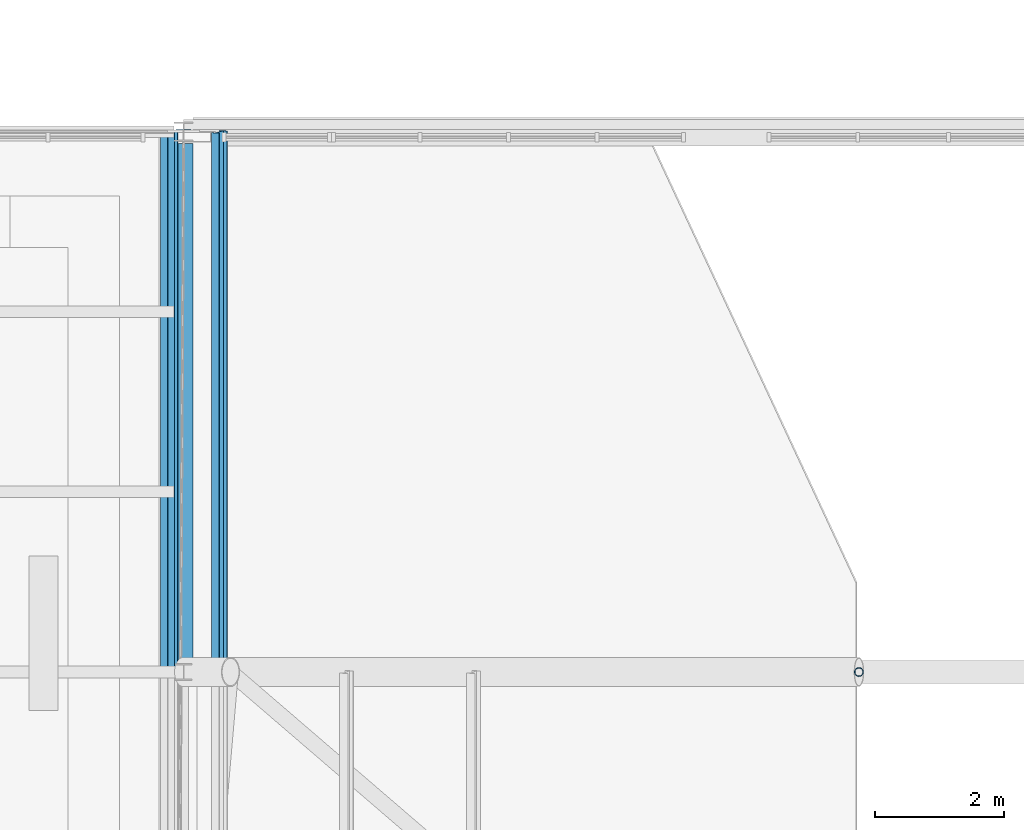
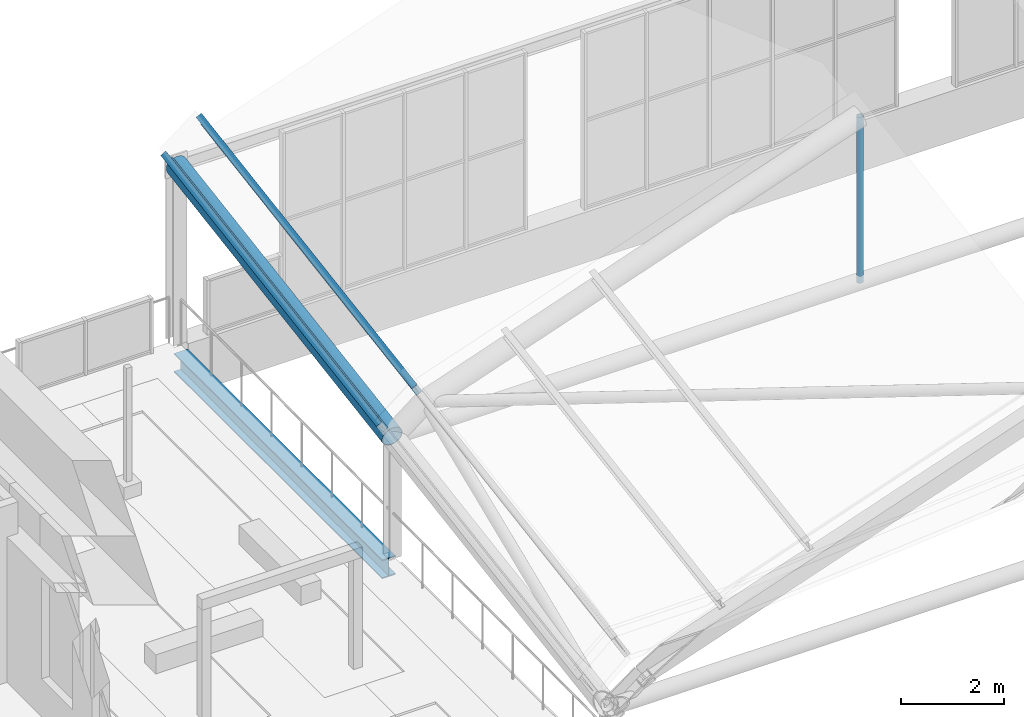
# One storey, part 17 of 76: 3 members, 2 beams.
"""IFC4 building model written with IfcOpenShell, lengths in metres."""

import ifcopenshell
import ifcopenshell.guid

model = None  # the IFC model being written
_history = None  # IfcOwnerHistory: only IFC2X3 demands one
_inside = {}  # id of a spatial element -> (the spatial element, [elements in it])
_under = {}  # id of a project, library or spatial element -> (it, [spatial elements below it])
_declared = {}  # id of a project -> (the project, [libraries it declares])
_typed = {}  # id of a type object -> (the type object, [elements of that type])
_made_of = {}  # id of a material, layer set ... -> (it, [elements and type objects made of it])


def new_model(schema):
    """Start an empty IFC model of exactly this schema.

    Asked for "IFC4X3", IfcOpenShell would pick the latest addendum, in which some entities
    have other attributes; the version numbers below select the first issue.
    IFC2X3 requires an IfcOwnerHistory on every rooted entity: one is made here for all.
    """
    global model, _history
    if schema == "IFC4X3":
        model = ifcopenshell.file(schema_version=(4, 3, 0, 0))
    else:
        model = ifcopenshell.file(schema=schema)
    _inside.clear()
    _under.clear()
    _declared.clear()
    _typed.clear()
    _made_of.clear()
    _history = None
    if model.schema == "IFC2X3":
        org = make("IfcOrganization", Name="unknown")
        user = make(
            "IfcPersonAndOrganization",
            ThePerson=make("IfcPerson", FamilyName="unknown"),
            TheOrganization=org,
        )
        app = make(
            "IfcApplication",
            ApplicationDeveloper=org,
            Version="unknown",
            ApplicationFullName="unknown",
            ApplicationIdentifier="unknown",
        )
        _history = make(
            "IfcOwnerHistory",
            OwningUser=user,
            OwningApplication=app,
            ChangeAction="ADDED",
            CreationDate=0,
        )
    return model


def make(cls, **values):
    """One entity of the class cls with the attributes given. An attribute that is None is left unset."""
    return model.create_entity(
        cls, **{name: value for name, value in values.items() if value is not None}
    )


def rooted(cls, **values):
    """An entity with a GlobalId (a new one), such as an element, a storey or a relation."""
    return make(cls, GlobalId=ifcopenshell.guid.new(), OwnerHistory=_history, **values)


def si_unit(unit_type, name, prefix=None):
    """IfcSIUnit, for example si_unit("LENGTHUNIT", "METRE", prefix="MILLI")."""
    return make("IfcSIUnit", UnitType=unit_type, Prefix=prefix, Name=name)


def assignment(units):
    """IfcUnitAssignment: the units of a project."""
    return None if units is None else make("IfcUnitAssignment", Units=units)


def point(xyz):
    """IfcCartesianPoint."""
    return None if xyz is None else make("IfcCartesianPoint", Coordinates=xyz)


def direction(xyz):
    """IfcDirection."""
    return None if xyz is None else make("IfcDirection", DirectionRatios=xyz)


def frame(location, z_axis=None, x_axis=None):
    """IfcAxis2Placement3D, a coordinate frame: its origin and axes. An axis left out is left unset."""
    return make(
        "IfcAxis2Placement3D",
        Location=point(location),
        Axis=direction(z_axis),
        RefDirection=direction(x_axis),
    )


def frame_2d(location, x_axis=None):
    """IfcAxis2Placement2D, a coordinate frame in the plane: its origin and x axis."""
    return make(
        "IfcAxis2Placement2D", Location=point(location), RefDirection=direction(x_axis)
    )


def origin():
    """The frame at (0, 0, 0) with its axes left unset."""
    return frame((0.0, 0.0, 0.0))


def origin_2d():
    """The frame at (0, 0) in the plane with its x axis left unset."""
    return frame_2d((0.0, 0.0))


def place(relative_to, where):
    """IfcLocalPlacement: puts the frame where relative to a parent placement (None: the world)."""
    return make(
        "IfcLocalPlacement", PlacementRelTo=relative_to, RelativePlacement=where
    )


def context(
    kind, dimensions, precision=None, world=None, true_north=None, identifier=None
):
    """IfcGeometricRepresentationContext, for example the 3D "Model" context."""
    return make(
        "IfcGeometricRepresentationContext",
        ContextIdentifier=identifier,
        ContextType=kind,
        CoordinateSpaceDimension=dimensions,
        Precision=precision,
        WorldCoordinateSystem=world,
        TrueNorth=true_north,
    )


def subcontext(parent, identifier, kind, view, scale=None):
    """IfcGeometricRepresentationSubContext, for example "Body" below "Model"."""
    return make(
        "IfcGeometricRepresentationSubContext",
        ContextIdentifier=identifier,
        ContextType=kind,
        ParentContext=parent,
        TargetScale=scale,
        TargetView=view,
    )


def project(units=None, contexts=None):
    """IfcProject with its units and contexts."""
    return rooted(
        "IfcProject",
        Name="project",
        RepresentationContexts=contexts,
        UnitsInContext=assignment(units),
    )


def spatial(cls, under=None, at=None, **own):
    """A site, building, storey or space (cls), placed at a placement, below another one or the project."""
    s = rooted(cls, ObjectPlacement=at, **own)
    if under is not None:
        _under.setdefault(under.id(), (under, []))[1].append(s)
    return s


def profile(cls, at=None, kind="AREA", **sizes):
    """A parametric profile (cls). Its sizes go by their IFC names, for example OverallWidth=200.0."""
    return make(cls, ProfileType=kind, Position=at, **sizes)


def hollow_circle(**sizes):
    """IfcCircleHollowProfileDef."""
    return profile("IfcCircleHollowProfileDef", **sizes)


def i_section(**sizes):
    """IfcIShapeProfileDef."""
    return profile("IfcIShapeProfileDef", **sizes)


def extrude(swept, where, along, depth):
    """IfcExtrudedAreaSolid: the profile swept, set in the frame where, extruded along a direction by depth."""
    return make(
        "IfcExtrudedAreaSolid",
        SweptArea=swept,
        Position=where,
        ExtrudedDirection=direction(along),
        Depth=depth,
    )


def shape(context_of_items, identifier, shape_type, items):
    """IfcShapeRepresentation: the items that make up one representation, for example the "Body"."""
    return make(
        "IfcShapeRepresentation",
        ContextOfItems=context_of_items,
        RepresentationIdentifier=identifier,
        RepresentationType=shape_type,
        Items=items,
    )


def material(Name=None, Category=None):
    """IfcMaterial."""
    return make("IfcMaterial", Name=Name, Category=Category)


def material_profile(
    of_material, cross_section, Name=None, Category=None, Priority=None
):
    """IfcMaterialProfile: a cross section and its material."""
    return make(
        "IfcMaterialProfile",
        Name=Name,
        Material=of_material,
        Profile=cross_section,
        Priority=Priority,
        Category=Category,
    )


def profile_set(profiles, Name=None, composite=None):
    """IfcMaterialProfileSet."""
    return make(
        "IfcMaterialProfileSet",
        Name=Name,
        MaterialProfiles=profiles,
        CompositeProfile=composite,
    )


def made_of(thing, what):
    """Note that an element or type object is made of a material, layer set ...; save() writes the relation."""
    if what is not None:
        _made_of.setdefault(what.id(), (what, []))[1].append(thing)
    return thing


def type_object(cls, material=None, **own):
    """A type object (cls), such as IfcWallType, which elements share."""
    return made_of(rooted(cls, **own), material)


def element(
    cls,
    number,
    at=None,
    inside=None,
    cuts=None,
    type_object=None,
    material=None,
    context=None,
    identifier="Body",
    shape_type=None,
    held_by="IfcProductDefinitionShape",
    body=None,
    shapes=None,
    **own,
):
    """One element of the class cls, such as IfcWall. Its Tag is "e" and its number.

    at: its placement. inside: the storey or other place that contains it. cuts: it is an
    opening in that element (IfcRelVoidsElement). A single representation is given by context,
    identifier, shape_type and body (its items); several are given by shapes. held_by: the class
    of the entity that holds the representations. save() writes the other relations.
    """
    e = rooted(cls, Tag="e%d" % number, ObjectPlacement=at, **own)
    if body is not None:
        shapes = [shape(context, identifier, shape_type, body)]
    if shapes is not None:
        e.Representation = make(held_by, Representations=shapes)
    if inside is not None:
        _inside.setdefault(inside.id(), (inside, []))[1].append(e)
    if cuts is not None:
        rooted(
            "IfcRelVoidsElement", RelatingBuildingElement=cuts, RelatedOpeningElement=e
        )
    if type_object is not None:
        _typed.setdefault(type_object.id(), (type_object, []))[1].append(e)
    return made_of(e, material)


def aggregate(whole, parts):
    """IfcRelAggregates: a whole, such as a stair, and the parts it consists of."""
    return rooted("IfcRelAggregates", RelatingObject=whole, RelatedObjects=parts)


def save(model, path):
    """Write the relations noted so far, then the file.

    IfcRelAggregates (storeys below a building ...), IfcRelContainedInSpatialStructure (elements
    in a storey), IfcRelDefinesByType, IfcRelAssociatesMaterial and IfcRelDeclares: one each for
    every whole, place, type object, material and project.
    """
    for whole, parts in _under.values():
        aggregate(whole, parts)
    for where, things in _inside.values():
        rooted(
            "IfcRelContainedInSpatialStructure",
            RelatedElements=things,
            RelatingStructure=where,
        )
    for kind, things in _typed.values():
        rooted("IfcRelDefinesByType", RelatedObjects=things, RelatingType=kind)
    for what, things in _made_of.values():
        rooted("IfcRelAssociatesMaterial", RelatedObjects=things, RelatingMaterial=what)
    for by, libraries in _declared.values():
        rooted("IfcRelDeclares", RelatingContext=by, RelatedDefinitions=libraries)
    model.write(path)


model = new_model("IFC4")

# Units and contexts
model_context = context("Model", 3, precision=1e-05, world=origin(), true_north=direction((0.0, 1.0)))
body_context = subcontext(model_context, "Body", "Model", "MODEL_VIEW")
ifc_project = project(units=[si_unit("LENGTHUNIT", "METRE"), si_unit("AREAUNIT", "SQUARE_METRE"), si_unit("VOLUMEUNIT", "CUBIC_METRE"), si_unit("PLANEANGLEUNIT", "RADIAN"), si_unit("MASSUNIT", "GRAM", prefix="KILO")], contexts=[model_context])

# Site, building, storey
site_placement = place(None, origin())
site = spatial("IfcSite", under=ifc_project, at=site_placement, CompositionType="ELEMENT")
building_placement = place(site_placement, origin())
building = spatial("IfcBuilding", under=site, at=building_placement, Name="Sava Quay Ferry Terminal", CompositionType="ELEMENT")
storey_placement = place(building_placement, frame((0.0, 0.0, 10.800048828125)))
storey = spatial("IfcBuildingStorey", under=building, at=storey_placement, Name="L02", CompositionType="ELEMENT", Elevation=10.800048828125)

# Beams
ifc_material_1 = material(Name="Steel S355", Category="steel")
ifc_material_profile_1 = material_profile(ifc_material_1, hollow_circle(Radius=0.228515625, WallThickness=0.01611328125, at=origin_2d()), Name="CHS 457 x 16.0")
ifc_profile_set_1 = profile_set([ifc_material_profile_1], Name="Steel S355")
beam_type_1 = type_object("IfcBeamType", Name="Eave beam CHS 457x16", PredefinedType="BEAM", material=ifc_profile_set_1)
beam_1_placement = place(storey_placement, frame((50.39990234375, 42.0, 2.81494140625), z_axis=(0.0, 0.987368718827, 0.158439304094), x_axis=(-1.0, 0.0, 0.0)))
element("IfcBeam", 1, at=beam_1_placement, inside=storey, type_object=beam_type_1, Name="Arrivals hall eave beam L2", PredefinedType="BEAM", context=body_context, shape_type="SweptSolid", body=[
    extrude(hollow_circle(Radius=0.228515625, WallThickness=0.01611328125, at=origin_2d()), origin(), (0.0, 0.0, 1.0), 8.50732421875),
])
ifc_material_2 = material(Name="Steel S355", Category="steel")
ifc_material_profile_2 = material_profile(ifc_material_2, i_section(OverallWidth=0.300048828125, OverallDepth=0.449951171875, WebThickness=0.013916015625, FlangeThickness=0.02587890625, at=origin_2d()), Name="HE 450 B")
ifc_profile_set_2 = profile_set([ifc_material_profile_2], Name="Steel S355")
beam_type_2 = type_object("IfcBeamType", Name="Girder HE 450 B", PredefinedType="BEAM", material=ifc_profile_set_2)
beam_2_placement = place(storey_placement, frame((50.39990234375, 42.1298828125, -0.375), z_axis=(0.0, 1.0, 0.0), x_axis=(-1.0, 0.0, 0.0)))
element("IfcBeam", 2, at=beam_2_placement, inside=storey, type_object=beam_type_2, Name="Girder L02", PredefinedType="BEAM", context=body_context, shape_type="SweptSolid", body=[
    extrude(i_section(OverallWidth=0.300048828125, OverallDepth=0.449951171875, WebThickness=0.013916015625, FlangeThickness=0.02587890625, at=origin_2d()), origin(), (0.0, 0.0, 1.0), 8.090087890625),
])

# Members
ifc_material_3 = material(Name="Steel S355", Category="steel")
ifc_material_profile_3 = material_profile(ifc_material_3, i_section(OverallWidth=0.135009765625, OverallDepth=0.27001953125, WebThickness=0.006591796875, FlangeThickness=0.01025390625, at=origin_2d()), Name="IPE 270")
ifc_profile_set_3 = profile_set([ifc_material_profile_3], Name="Steel S355")
member_type_1 = type_object("IfcMemberType", Name="Roof purlin IPE 270", PredefinedType="PURLIN", material=ifc_profile_set_3)
for number, where, z_axis, x_axis, name in (
    (3, (50.177978515625, 42.0, 3.1064453125), (0.0, 0.987368718827, 0.158439304094), (-0.791787123021, 0.096774274528, -0.6030819941), "Arrivals hall edge purlin bay 2 V0"),
    (4, (50.955810546875, 42.0, 3.714111328125), (0.0, 0.98736422906, 0.158467281081), (-0.881204241549, 0.074913148193, -0.46676236449), "Arrivals hall purlin bay 2 V1"),
):
    element("IfcMember", number, at=place(storey_placement, frame(where, z_axis=z_axis, x_axis=x_axis)), inside=storey, type_object=member_type_1, Name=name, PredefinedType="PURLIN", context=body_context, shape_type="SweptSolid", body=[
        extrude(i_section(OverallWidth=0.135009765625, OverallDepth=0.27001953125, WebThickness=0.006591796875, FlangeThickness=0.01025390625, at=origin_2d()), origin(), (0.0, 0.0, 1.0), 8.50732421875),
    ])
ifc_material_4 = material(Name="Steel S355", Category="steel")
ifc_material_profile_4 = material_profile(ifc_material_4, hollow_circle(Radius=0.06982421875, WallThickness=0.008056640625, at=origin_2d()), Name="CHS 139.7 x 8.0")
ifc_profile_set_4 = profile_set([ifc_material_profile_4], Name="Steel S355")
member_type_2 = type_object("IfcMemberType", Name="Tie hanger CHS 139.7x8", PredefinedType="USERDEFINED", material=ifc_profile_set_4)
member_placement = place(storey_placement, frame((60.89990234375, 42.0, 2.81494140625), z_axis=(0.0, 0.0, 1.0), x_axis=(1.0, 0.0, 0.0)))
element("IfcMember", 5, at=member_placement, inside=storey, type_object=member_type_2, Name="Arrivals hall tie hanger R1 V2", ObjectType="TIE HANGER", PredefinedType="USERDEFINED", context=body_context, shape_type="SweptSolid", body=[
    extrude(hollow_circle(Radius=0.06982421875, WallThickness=0.008056640625, at=origin_2d()), origin(), (0.0, 0.0, 1.0), 3.934326171875),
])

save(model, "model.ifc")
